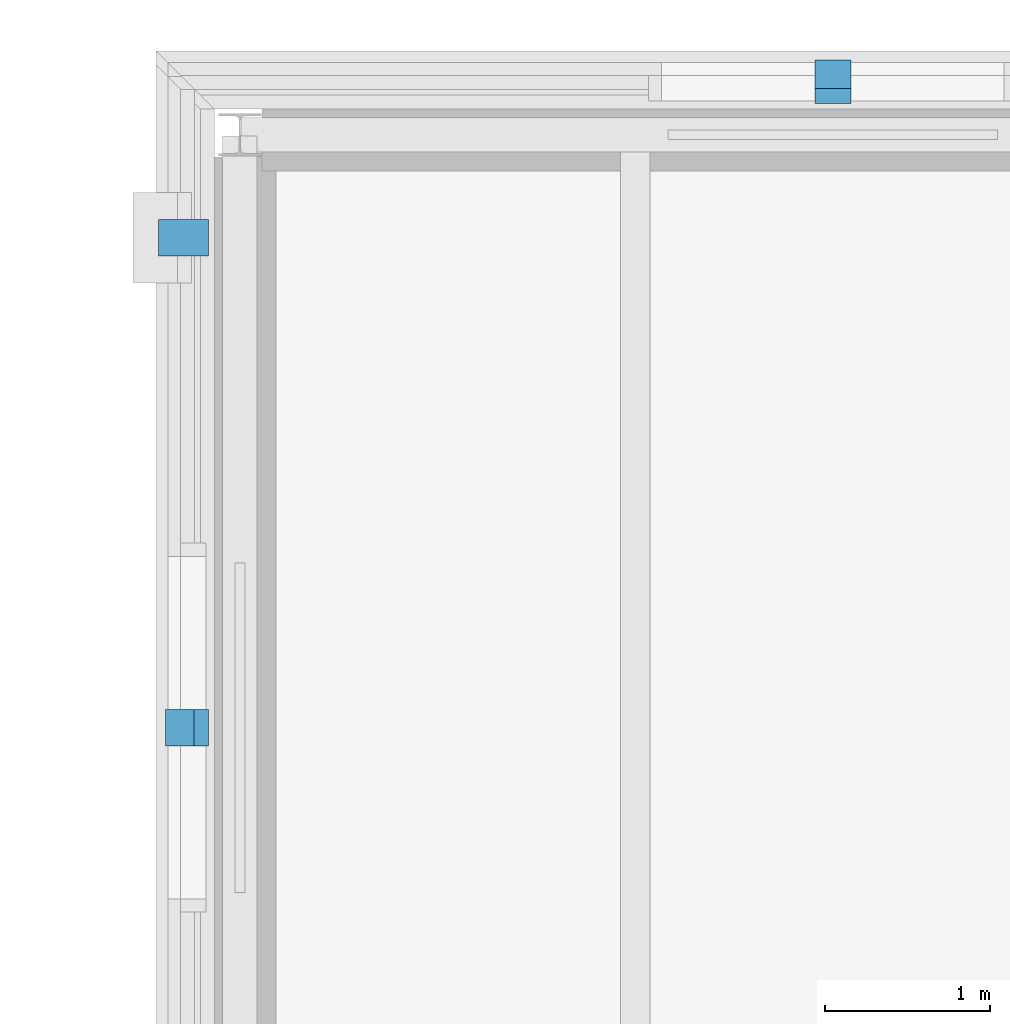
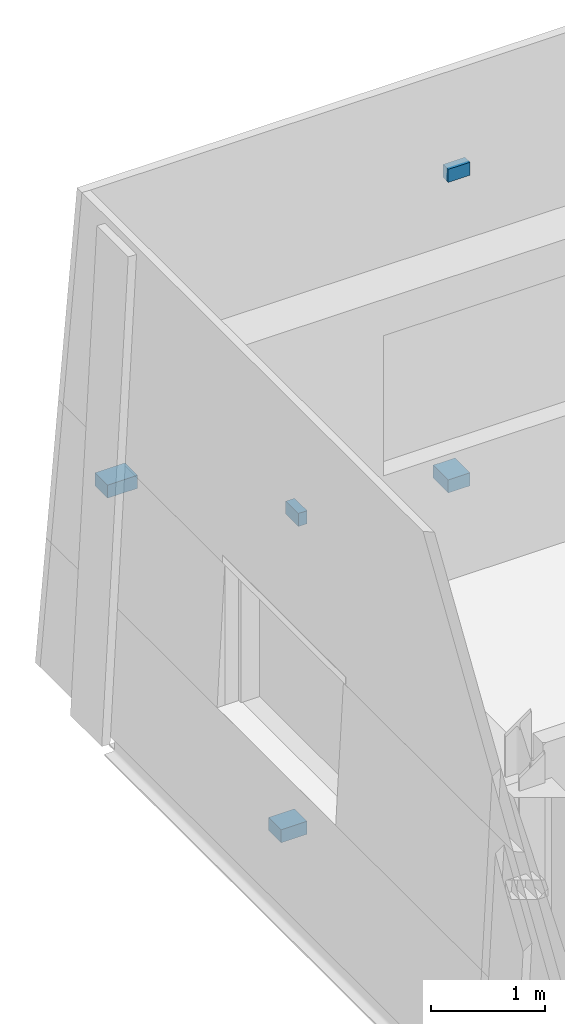
# One storey, part 87 of 115: 5 discrete accessories.
"""IFC4 building model written with IfcOpenShell, lengths in metres."""

from ifc_helpers import new_model, si_unit, direction, frame, origin, origin_2d, place, context, subcontext, project, spatial, rectangle, extrude, material, layer, layer_set, type_object, element, save


model = new_model("IFC4")

# Units and contexts
model_context = context("Model", 3, precision=1e-05, world=origin(), true_north=direction((0.0, 1.0)))
body_context = subcontext(model_context, "Body", "Model", "MODEL_VIEW")
ifc_project = project(units=[si_unit("LENGTHUNIT", "METRE"), si_unit("AREAUNIT", "SQUARE_METRE"), si_unit("VOLUMEUNIT", "CUBIC_METRE"), si_unit("PLANEANGLEUNIT", "RADIAN"), si_unit("MASSUNIT", "GRAM", prefix="KILO")], contexts=[model_context])

# Site, building, storey
site_placement = place(None, origin())
site = spatial("IfcSite", under=ifc_project, at=site_placement, CompositionType="ELEMENT")
building_placement = place(site_placement, origin())
building = spatial("IfcBuilding", under=site, at=building_placement, Name="Narikvali Park Central Library", CompositionType="ELEMENT")
storey_placement = place(building_placement, frame((0.0, 0.0, 10.199951171875)))
storey = spatial("IfcBuildingStorey", under=building, at=storey_placement, Name="L02", CompositionType="ELEMENT", Elevation=10.199951171875)

# Discrete accessories
ifc_material = material(Name="Brushed Stainless Steel S355", Category="steel")
ifc_layer = layer(ifc_material, 0.139892578125, Name="Brushed Stainless Steel S355")
ifc_layer_set = layer_set([ifc_layer], Name="Brushed Stainless Steel S355")
discrete_accessory_type = type_object("IfcDiscreteAccessoryType", Name="Cladding Stainless Tie-Back Corbel Bracket", PredefinedType="BRACKET", material=ifc_layer_set)
discrete_accessory_1_placement = place(storey_placement, frame((126.0, 115.521484375, 0.60498046875), z_axis=(0.0, 0.0, 1.0), x_axis=(1.0, 0.0, 0.0)))
element("IfcDiscreteAccessory", 1, at=discrete_accessory_1_placement, inside=storey, type_object=discrete_accessory_type, Name="Limestone Cladding Tie-Back Bracket V3-CLD-L02-N-B06-SP", PredefinedType="BRACKET", context=body_context, shape_type="SweptSolid", body=[
    extrude(rectangle(XDim=0.219970703125, YDim=0.26318359375, at=origin_2d()), origin(), (0.0, 0.0, 1.0), 0.139892578125),
])
discrete_accessory_2_placement = place(storey_placement, frame((126.0, 115.43505859375, 3.93017578125), z_axis=(0.0, 0.0, 1.0), x_axis=(1.0, 0.0, 0.0)))
element("IfcDiscreteAccessory", 2, at=discrete_accessory_2_placement, inside=storey, type_object=discrete_accessory_type, Name="Limestone Cladding Tie-Back Bracket V3-CLD-L02-N-B06-LN", PredefinedType="BRACKET", context=body_context, shape_type="SweptSolid", body=[
    extrude(rectangle(XDim=0.219970703125, YDim=0.08984375, at=origin_2d()), origin(), (0.0, 0.0, 1.0), 0.139892578125),
])
discrete_accessory_3_placement = place(storey_placement, frame((122.057861328125, 114.574951171875, 2.5048828125), z_axis=(0.0, 0.0, 1.0), x_axis=(1.0, 0.0, 0.0)))
element("IfcDiscreteAccessory", 3, at=discrete_accessory_3_placement, inside=storey, type_object=discrete_accessory_type, Name="Limestone Cladding Tie-Back Bracket V3-PIL-L02-W-B01", PredefinedType="BRACKET", context=body_context, shape_type="SweptSolid", body=[
    extrude(rectangle(XDim=0.30419921875, YDim=0.219970703125, at=origin_2d()), origin(), (0.0, 0.0, 1.0), 0.139892578125),
])
discrete_accessory_4_placement = place(storey_placement, frame((122.078369140625, 111.60009765625, 0.60498046875), z_axis=(0.0, 0.0, 1.0), x_axis=(1.0, 0.0, 0.0)))
element("IfcDiscreteAccessory", 4, at=discrete_accessory_4_placement, inside=storey, type_object=discrete_accessory_type, Name="Limestone Cladding Tie-Back Bracket V3-CLD-L02-W-B01-SP", PredefinedType="BRACKET", context=body_context, shape_type="SweptSolid", body=[
    extrude(rectangle(XDim=0.26318359375, YDim=0.219970703125, at=origin_2d()), origin(), (0.0, 0.0, 1.0), 0.139892578125),
])
discrete_accessory_5_placement = place(storey_placement, frame((122.1650390625, 111.60009765625, 3.93017578125), z_axis=(0.0, 0.0, 1.0), x_axis=(1.0, 0.0, 0.0)))
element("IfcDiscreteAccessory", 5, at=discrete_accessory_5_placement, inside=storey, type_object=discrete_accessory_type, Name="Limestone Cladding Tie-Back Bracket V3-CLD-L02-W-B01-LN", PredefinedType="BRACKET", context=body_context, shape_type="SweptSolid", body=[
    extrude(rectangle(XDim=0.08984375, YDim=0.219970703125, at=origin_2d()), origin(), (0.0, 0.0, 1.0), 0.139892578125),
])

save(model, "model.ifc")
